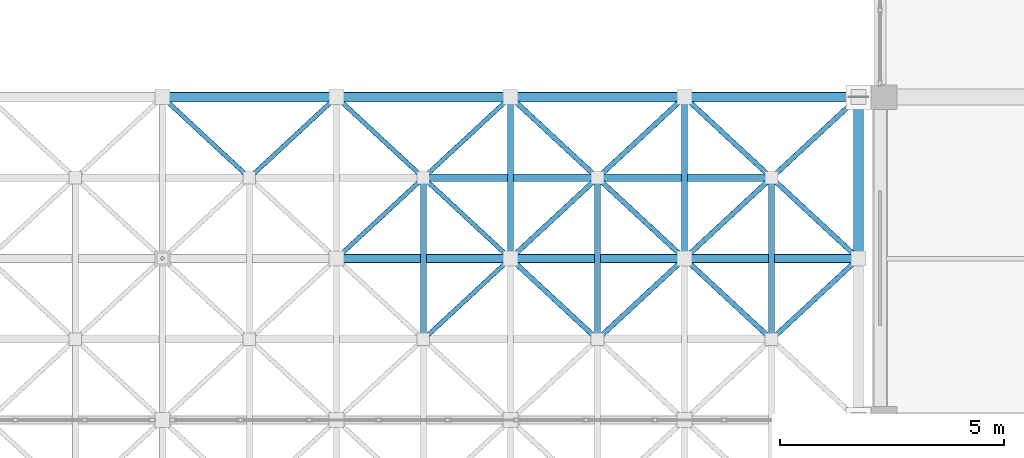
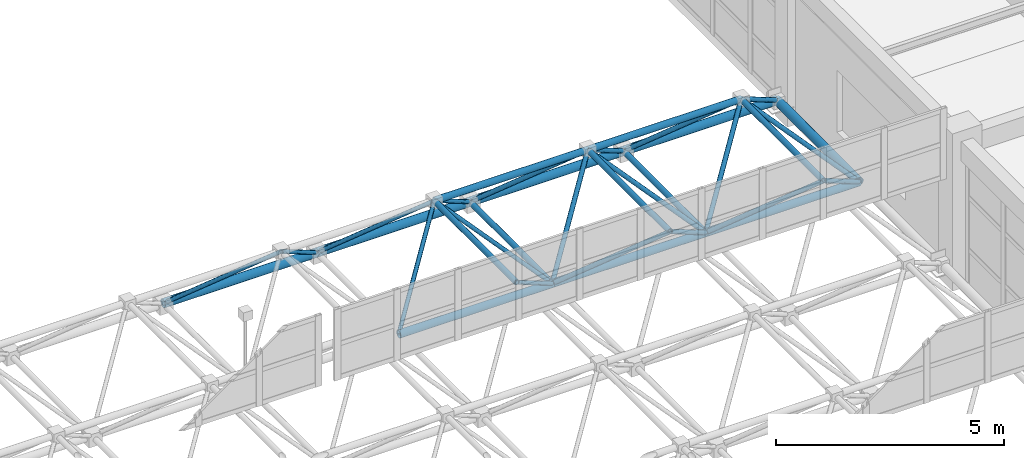
# One storey, part 99 of 195: 34 members.
"""IFC4 building model written with IfcOpenShell, lengths in metres."""

from ifc_helpers import new_model, si_unit, direction, frame, origin, origin_2d, place, context, subcontext, project, spatial, hollow_circle, extrude, material, material_profile, profile_set, type_object, element, save


model = new_model("IFC4")

# Units and contexts
model_context = context("Model", 3, precision=1e-05, world=origin(), true_north=direction((0.0, 1.0)))
body_context = subcontext(model_context, "Body", "Model", "MODEL_VIEW")
ifc_project = project(units=[si_unit("LENGTHUNIT", "METRE"), si_unit("AREAUNIT", "SQUARE_METRE"), si_unit("VOLUMEUNIT", "CUBIC_METRE"), si_unit("PLANEANGLEUNIT", "RADIAN"), si_unit("MASSUNIT", "GRAM", prefix="KILO")], contexts=[model_context])

# Site, building, storey
site_placement = place(None, origin())
site = spatial("IfcSite", under=ifc_project, at=site_placement, CompositionType="ELEMENT")
building_placement = place(site_placement, origin())
building = spatial("IfcBuilding", under=site, at=building_placement, Name="Kharva Crest Polytechnic", CompositionType="ELEMENT")
storey_placement = place(building_placement, frame((0.0, 0.0, 9.0)))
storey = spatial("IfcBuildingStorey", under=building, at=storey_placement, Name="L02", CompositionType="ELEMENT", Elevation=9.0)

# Members
ifc_material = material(Name="Steel S355", Category="steel")
ifc_material_profile_1 = material_profile(ifc_material, hollow_circle(Radius=0.05078125, WallThickness=0.0048828125, at=origin_2d()), Name="CHS 101.6X5.0")
ifc_profile_set_1 = profile_set([ifc_material_profile_1], Name="Steel S355")
member_type_1 = type_object("IfcMemberType", Name="MEM-CHS101", PredefinedType="BRACE", material=ifc_profile_set_1)
for number, where, z_axis, x_axis, name in (
    (1, (16.0, 93.199951171875, 0.60009765625), (0.606147481159, -0.562437122903, 0.562360839555), (0.680182129432, 0.73304315753, 0.0), "Space Frame Web Diagonal 727"),
    (2, (19.8798828125, 93.199951171875, 0.60009765625), (-0.606147481159, -0.562437122903, 0.562360839555), (0.680182129432, -0.73304315753, 0.0), "Space Frame Web Diagonal 728"),
    (3, (23.760009765625, 89.60009765625, 0.60009765625), (-0.606147481159, -0.562437122903, 0.562360839555), (0.680182129432, -0.73304315753, 0.0), "Space Frame Web Diagonal 780"),
    (4, (19.8798828125, 89.60009765625, 0.60009765625), (0.606221739613, 0.562358961172, 0.562358961172), (-0.680086554043, 0.733131829216, 0.0), "Space Frame Web Diagonal 781"),
):
    element("IfcMember", number, at=place(storey_placement, frame(where, z_axis=z_axis, x_axis=x_axis)), inside=storey, type_object=member_type_1, Name=name, PredefinedType="BRACE", context=body_context, shape_type="SweptSolid", body=[
        extrude(hollow_circle(Radius=0.05078125, WallThickness=0.0048828125, at=origin_2d()), origin(), (0.0, 0.0, 1.0), 3.200439453125),
    ])
member_1_placement = place(storey_placement, frame((23.760009765625, 89.60009765625, 0.60009765625), z_axis=(-0.606173487576, 0.562384967331, 0.562384967331), x_axis=(-0.680132552351, -0.7330891564, 0.0)))
element("IfcMember", 5, at=member_1_placement, inside=storey, type_object=member_type_1, Name="Space Frame Web Diagonal 782", PredefinedType="BRACE", context=body_context, shape_type="SweptSolid", body=[
    extrude(hollow_circle(Radius=0.05078125, WallThickness=0.0048828125, at=origin_2d()), origin(), (0.0, 0.0, 1.0), 3.2001953125),
])
member_2_placement = place(storey_placement, frame((19.8798828125, 93.199951171875, 0.60009765625), z_axis=(0.606195733531, -0.562411116563, 0.562334836743), x_axis=(0.680136133543, 0.733085833889, 0.0)))
element("IfcMember", 6, at=member_2_placement, inside=storey, type_object=member_type_1, Name="Space Frame Web Diagonal 783", PredefinedType="BRACE", context=body_context, shape_type="SweptSolid", body=[
    extrude(hollow_circle(Radius=0.05078125, WallThickness=0.0048828125, at=origin_2d()), origin(), (0.0, 0.0, 1.0), 3.20068359375),
])
member_3_placement = place(storey_placement, frame((23.760009765625, 93.199951171875, 0.60009765625), z_axis=(-0.606147481159, -0.562437122903, 0.562360839555), x_axis=(0.680182129432, -0.73304315753, 0.0)))
element("IfcMember", 7, at=member_3_placement, inside=storey, type_object=member_type_1, Name="Space Frame Web Diagonal 784", PredefinedType="BRACE", context=body_context, shape_type="SweptSolid", body=[
    extrude(hollow_circle(Radius=0.05078125, WallThickness=0.0048828125, at=origin_2d()), origin(), (0.0, 0.0, 1.0), 3.200439453125),
])
ifc_material_profile_2 = material_profile(ifc_material, hollow_circle(Radius=0.05712890625, WallThickness=0.00634765625, at=origin_2d()), Name="CHS 114.3X6.3")
ifc_profile_set_2 = profile_set([ifc_material_profile_2], Name="Steel S355")
member_type_2 = type_object("IfcMemberType", Name="MEM-CHS114", PredefinedType="BRACE", material=ifc_profile_set_2)
for number, where, z_axis, x_axis, name in (
    (8, (23.760009765625, 89.60009765625, 0.60009765625), (0.606147481159, -0.562437122903, 0.562360839555), (0.680182129432, 0.73304315753, 0.0), "Space Frame Web Diagonal 835"),
    (9, (27.639892578125, 89.60009765625, 0.60009765625), (-0.606147481159, -0.562437122903, 0.562360839555), (0.680182129432, -0.73304315753, 0.0), "Space Frame Web Diagonal 836"),
):
    element("IfcMember", number, at=place(storey_placement, frame(where, z_axis=z_axis, x_axis=x_axis)), inside=storey, type_object=member_type_2, Name=name, PredefinedType="BRACE", context=body_context, shape_type="SweptSolid", body=[
        extrude(hollow_circle(Radius=0.05712890625, WallThickness=0.00634765625, at=origin_2d()), origin(), (0.0, 0.0, 1.0), 3.200439453125),
    ])
for number, where, z_axis, x_axis, name in (
    (10, (23.760009765625, 89.60009765625, 0.60009765625), (0.606173487576, 0.562384967331, 0.562384967331), (-0.680132552351, 0.7330891564, 0.0), "Space Frame Web Diagonal 837"),
    (11, (27.639892578125, 89.60009765625, 0.60009765625), (-0.606173487576, 0.562384967331, 0.562384967331), (-0.680132552351, -0.7330891564, 0.0), "Space Frame Web Diagonal 838"),
):
    element("IfcMember", number, at=place(storey_placement, frame(where, z_axis=z_axis, x_axis=x_axis)), inside=storey, type_object=member_type_2, Name=name, PredefinedType="BRACE", context=body_context, shape_type="SweptSolid", body=[
        extrude(hollow_circle(Radius=0.05712890625, WallThickness=0.00634765625, at=origin_2d()), origin(), (0.0, 0.0, 1.0), 3.2001953125),
    ])
for number, where, z_axis, x_axis, name in (
    (12, (23.760009765625, 93.199951171875, 0.60009765625), (0.606147481159, -0.562437122903, 0.562360839555), (0.680182129432, 0.73304315753, 0.0), "Space Frame Web Diagonal 839"),
    (13, (27.639892578125, 93.199951171875, 0.60009765625), (-0.606147481159, -0.562437122903, 0.562360839555), (0.680182129432, -0.73304315753, 0.0), "Space Frame Web Diagonal 840"),
):
    element("IfcMember", number, at=place(storey_placement, frame(where, z_axis=z_axis, x_axis=x_axis)), inside=storey, type_object=member_type_2, Name=name, PredefinedType="BRACE", context=body_context, shape_type="SweptSolid", body=[
        extrude(hollow_circle(Radius=0.05712890625, WallThickness=0.00634765625, at=origin_2d()), origin(), (0.0, 0.0, 1.0), 3.200439453125),
    ])
member_4_placement = place(storey_placement, frame((27.639892578125, 89.60009765625, 0.60009765625), z_axis=(0.606195733531, -0.562411116563, 0.562334836743), x_axis=(0.680136133543, 0.733085833889, 0.0)))
element("IfcMember", 14, at=member_4_placement, inside=storey, type_object=member_type_2, Name="Space Frame Web Diagonal 891", PredefinedType="BRACE", context=body_context, shape_type="SweptSolid", body=[
    extrude(hollow_circle(Radius=0.05712890625, WallThickness=0.00634765625, at=origin_2d()), origin(), (0.0, 0.0, 1.0), 3.20068359375),
])
for number, where, z_axis, x_axis, name in (
    (15, (31.52001953125, 89.60009765625, 0.60009765625), (-0.606147481159, -0.562437122903, 0.562360839555), (0.680182129432, -0.73304315753, 0.0), "Space Frame Web Diagonal 892"),
    (16, (27.639892578125, 89.60009765625, 0.60009765625), (0.606221739613, 0.562358961172, 0.562358961172), (-0.680086554043, 0.733131829216, 0.0), "Space Frame Web Diagonal 893"),
):
    element("IfcMember", number, at=place(storey_placement, frame(where, z_axis=z_axis, x_axis=x_axis)), inside=storey, type_object=member_type_2, Name=name, PredefinedType="BRACE", context=body_context, shape_type="SweptSolid", body=[
        extrude(hollow_circle(Radius=0.05712890625, WallThickness=0.00634765625, at=origin_2d()), origin(), (0.0, 0.0, 1.0), 3.200439453125),
    ])
member_5_placement = place(storey_placement, frame((31.52001953125, 89.60009765625, 0.60009765625), z_axis=(-0.606173487576, 0.562384967331, 0.562384967331), x_axis=(-0.680132552351, -0.7330891564, 0.0)))
element("IfcMember", 17, at=member_5_placement, inside=storey, type_object=member_type_2, Name="Space Frame Web Diagonal 894", PredefinedType="BRACE", context=body_context, shape_type="SweptSolid", body=[
    extrude(hollow_circle(Radius=0.05712890625, WallThickness=0.00634765625, at=origin_2d()), origin(), (0.0, 0.0, 1.0), 3.2001953125),
])
member_6_placement = place(storey_placement, frame((27.639892578125, 93.199951171875, 0.60009765625), z_axis=(0.606195733531, -0.562411116563, 0.562334836743), x_axis=(0.680136133543, 0.733085833889, 0.0)))
element("IfcMember", 18, at=member_6_placement, inside=storey, type_object=member_type_2, Name="Space Frame Web Diagonal 895", PredefinedType="BRACE", context=body_context, shape_type="SweptSolid", body=[
    extrude(hollow_circle(Radius=0.05712890625, WallThickness=0.00634765625, at=origin_2d()), origin(), (0.0, 0.0, 1.0), 3.20068359375),
])
member_7_placement = place(storey_placement, frame((31.52001953125, 93.199951171875, 0.60009765625), z_axis=(-0.606147481159, -0.562437122903, 0.562360839555), x_axis=(0.680182129432, -0.73304315753, 0.0)))
element("IfcMember", 19, at=member_7_placement, inside=storey, type_object=member_type_2, Name="Space Frame Web Diagonal 896", PredefinedType="BRACE", context=body_context, shape_type="SweptSolid", body=[
    extrude(hollow_circle(Radius=0.05712890625, WallThickness=0.00634765625, at=origin_2d()), origin(), (0.0, 0.0, 1.0), 3.200439453125),
])
ifc_material_profile_3 = material_profile(ifc_material, hollow_circle(Radius=0.06982421875, WallThickness=0.00634765625, at=origin_2d()), Name="CHS 139.7X6.3")
ifc_profile_set_3 = profile_set([ifc_material_profile_3], Name="Steel S355")
member_type_3 = type_object("IfcMemberType", Name="MEM-CHS139", PredefinedType="CHORD", material=ifc_profile_set_3)
for number, where, z_axis, x_axis, name in (
    (20, (23.760009765625, 89.60009765625, 0.60009765625), (0.0, 1.0, 0.0), (-1.0, 0.0, 0.0), "Space Frame Bottom Chord Y 218"),
    (21, (27.639892578125, 89.60009765625, 0.60009765625), (0.0, 1.0, 0.0), (-1.0, 0.0, 0.0), "Space Frame Bottom Chord Y 232"),
    (22, (21.820068359375, 87.800048828125, 2.39990234375), (0.0, 1.0, 0.0), (-1.0, 0.0, 0.0), "Space Frame Top Chord Y 422"),
    (23, (25.699951171875, 87.800048828125, 2.39990234375), (0.0, 1.0, 0.0), (-1.0, 0.0, 0.0), "Space Frame Top Chord Y 435"),
    (24, (29.580078125, 87.800048828125, 2.39990234375), (0.0, 1.0, 0.0), (-1.0, 0.0, 0.0), "Space Frame Top Chord Y 448"),
):
    element("IfcMember", number, at=place(storey_placement, frame(where, z_axis=z_axis, x_axis=x_axis)), inside=storey, type_object=member_type_3, Name=name, PredefinedType="CHORD", context=body_context, shape_type="SweptSolid", body=[
        extrude(hollow_circle(Radius=0.06982421875, WallThickness=0.00634765625, at=origin_2d()), origin(), (0.0, 0.0, 1.0), 3.599853515625),
    ])
ifc_material_profile_4 = material_profile(ifc_material, hollow_circle(Radius=0.084228515625, WallThickness=0.008056640625, at=origin_2d()), Name="CHS 168.3X8.0")
ifc_profile_set_4 = profile_set([ifc_material_profile_4], Name="Steel S355")
member_type_4 = type_object("IfcMemberType", Name="MEM-CHS168", PredefinedType="CHORD", material=ifc_profile_set_4)
member_8_placement = place(storey_placement, frame((21.820068359375, 91.39990234375, 2.39990234375), z_axis=(1.0, 0.0, 0.0), x_axis=(0.0, 1.0, 0.0)))
element("IfcMember", 25, at=member_8_placement, inside=storey, type_object=member_type_4, Name="Space Frame Top Chord X 343", PredefinedType="CHORD", context=body_context, shape_type="SweptSolid", body=[
    extrude(hollow_circle(Radius=0.084228515625, WallThickness=0.008056640625, at=origin_2d()), origin(), (0.0, 0.0, 1.0), 3.8798828125),
])
member_9_placement = place(storey_placement, frame((25.699951171875, 91.39990234375, 2.39990234375), z_axis=(1.0, 0.0, 0.0), x_axis=(0.0, 1.0, 0.0)))
element("IfcMember", 26, at=member_9_placement, inside=storey, type_object=member_type_4, Name="Space Frame Top Chord X 344", PredefinedType="CHORD", context=body_context, shape_type="SweptSolid", body=[
    extrude(hollow_circle(Radius=0.084228515625, WallThickness=0.008056640625, at=origin_2d()), origin(), (0.0, 0.0, 1.0), 3.880126953125),
])
ifc_material_profile_5 = material_profile(ifc_material, hollow_circle(Radius=0.096923828125, WallThickness=0.008056640625, at=origin_2d()), Name="CHS 193.7X8.0")
ifc_profile_set_5 = profile_set([ifc_material_profile_5], Name="Steel S355")
member_type_5 = type_object("IfcMemberType", Name="MEM-CHS193", PredefinedType="CHORD", material=ifc_profile_set_5)
member_10_placement = place(storey_placement, frame((19.8798828125, 89.60009765625, 0.60009765625), z_axis=(1.0, 0.0, 0.0), x_axis=(0.0, 1.0, 0.0)))
element("IfcMember", 27, at=member_10_placement, inside=storey, type_object=member_type_5, Name="Space Frame Bottom Chord X 110", PredefinedType="CHORD", context=body_context, shape_type="SweptSolid", body=[
    extrude(hollow_circle(Radius=0.096923828125, WallThickness=0.008056640625, at=origin_2d()), origin(), (0.0, 0.0, 1.0), 3.880126953125),
])
member_11_placement = place(storey_placement, frame((23.760009765625, 89.60009765625, 0.60009765625), z_axis=(1.0, 0.0, 0.0), x_axis=(0.0, 1.0, 0.0)))
element("IfcMember", 28, at=member_11_placement, inside=storey, type_object=member_type_5, Name="Space Frame Bottom Chord X 111", PredefinedType="CHORD", context=body_context, shape_type="SweptSolid", body=[
    extrude(hollow_circle(Radius=0.096923828125, WallThickness=0.008056640625, at=origin_2d()), origin(), (0.0, 0.0, 1.0), 3.8798828125),
])
member_12_placement = place(storey_placement, frame((27.639892578125, 89.60009765625, 0.60009765625), z_axis=(1.0, 0.0, 0.0), x_axis=(0.0, 1.0, 0.0)))
element("IfcMember", 29, at=member_12_placement, inside=storey, type_object=member_type_5, Name="Space Frame Bottom Chord X 112", PredefinedType="CHORD", context=body_context, shape_type="SweptSolid", body=[
    extrude(hollow_circle(Radius=0.096923828125, WallThickness=0.008056640625, at=origin_2d()), origin(), (0.0, 0.0, 1.0), 3.880126953125),
])
ifc_material_profile_6 = material_profile(ifc_material, hollow_circle(Radius=0.109619140625, WallThickness=0.010009765625, at=origin_2d()), Name="CHS 219.1X10.0")
ifc_profile_set_6 = profile_set([ifc_material_profile_6], Name="Steel S355")
member_type_6 = type_object("IfcMemberType", Name="MEM-CHS219", PredefinedType="CHORD", material=ifc_profile_set_6)
member_13_placement = place(storey_placement, frame((16.0, 93.199951171875, 0.60009765625), z_axis=(1.0, 0.0, 0.0), x_axis=(0.0, 1.0, 0.0)))
element("IfcMember", 30, at=member_13_placement, inside=storey, type_object=member_type_6, Name="Space Frame Bottom Chord X 117", PredefinedType="CHORD", context=body_context, shape_type="SweptSolid", body=[
    extrude(hollow_circle(Radius=0.109619140625, WallThickness=0.010009765625, at=origin_2d()), origin(), (0.0, 0.0, 1.0), 3.8798828125),
])
member_14_placement = place(storey_placement, frame((19.8798828125, 93.199951171875, 0.60009765625), z_axis=(1.0, 0.0, 0.0), x_axis=(0.0, 1.0, 0.0)))
element("IfcMember", 31, at=member_14_placement, inside=storey, type_object=member_type_6, Name="Space Frame Bottom Chord X 118", PredefinedType="CHORD", context=body_context, shape_type="SweptSolid", body=[
    extrude(hollow_circle(Radius=0.109619140625, WallThickness=0.010009765625, at=origin_2d()), origin(), (0.0, 0.0, 1.0), 3.880126953125),
])
member_15_placement = place(storey_placement, frame((23.760009765625, 93.199951171875, 0.60009765625), z_axis=(1.0, 0.0, 0.0), x_axis=(0.0, 1.0, 0.0)))
element("IfcMember", 32, at=member_15_placement, inside=storey, type_object=member_type_6, Name="Space Frame Bottom Chord X 119", PredefinedType="CHORD", context=body_context, shape_type="SweptSolid", body=[
    extrude(hollow_circle(Radius=0.109619140625, WallThickness=0.010009765625, at=origin_2d()), origin(), (0.0, 0.0, 1.0), 3.8798828125),
])
member_16_placement = place(storey_placement, frame((27.639892578125, 93.199951171875, 0.60009765625), z_axis=(1.0, 0.0, 0.0), x_axis=(0.0, 1.0, 0.0)))
element("IfcMember", 33, at=member_16_placement, inside=storey, type_object=member_type_6, Name="Space Frame Bottom Chord X 120", PredefinedType="CHORD", context=body_context, shape_type="SweptSolid", body=[
    extrude(hollow_circle(Radius=0.109619140625, WallThickness=0.010009765625, at=origin_2d()), origin(), (0.0, 0.0, 1.0), 3.880126953125),
])
member_17_placement = place(storey_placement, frame((31.52001953125, 89.60009765625, 0.60009765625), z_axis=(0.0, 1.0, 0.0), x_axis=(-1.0, 0.0, 0.0)))
element("IfcMember", 34, at=member_17_placement, inside=storey, type_object=member_type_6, Name="Space Frame Bottom Chord Y 246", PredefinedType="CHORD", context=body_context, shape_type="SweptSolid", body=[
    extrude(hollow_circle(Radius=0.109619140625, WallThickness=0.010009765625, at=origin_2d()), origin(), (0.0, 0.0, 1.0), 3.599853515625),
])

save(model, "model.ifc")
